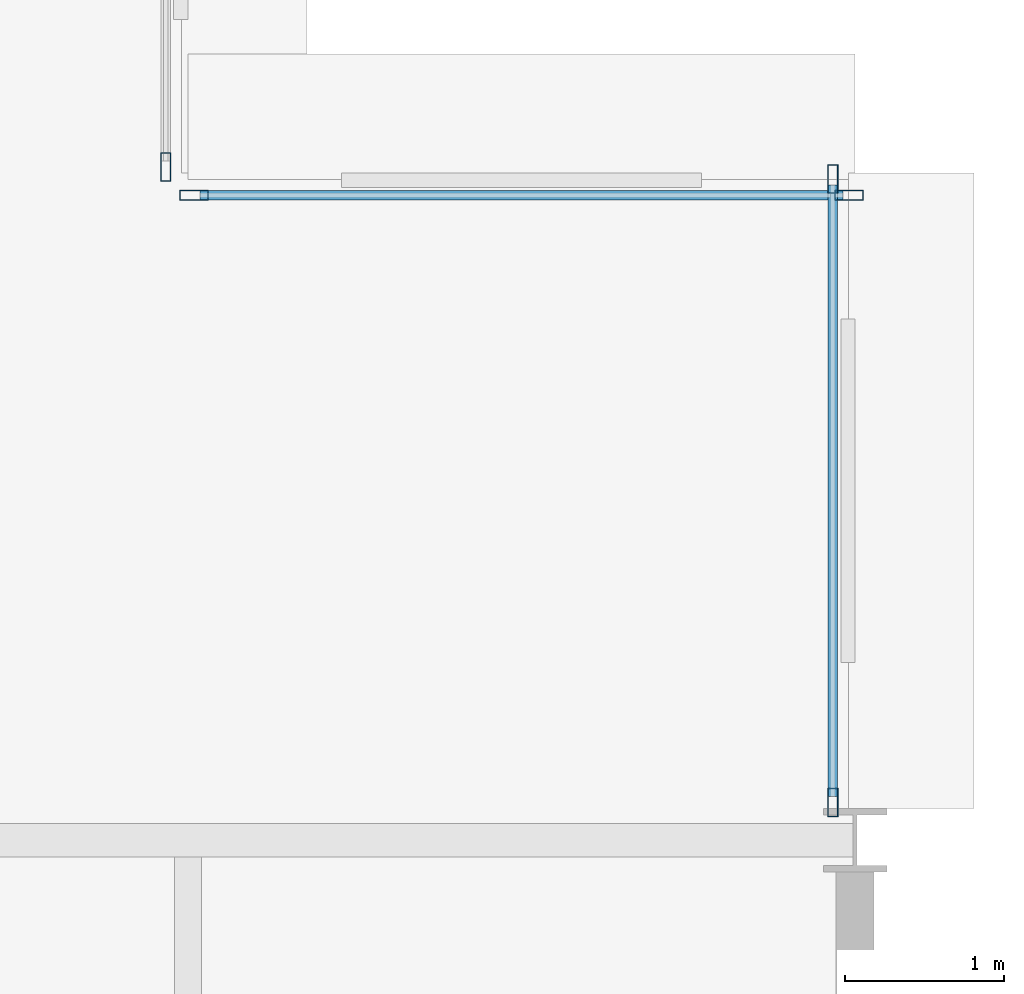
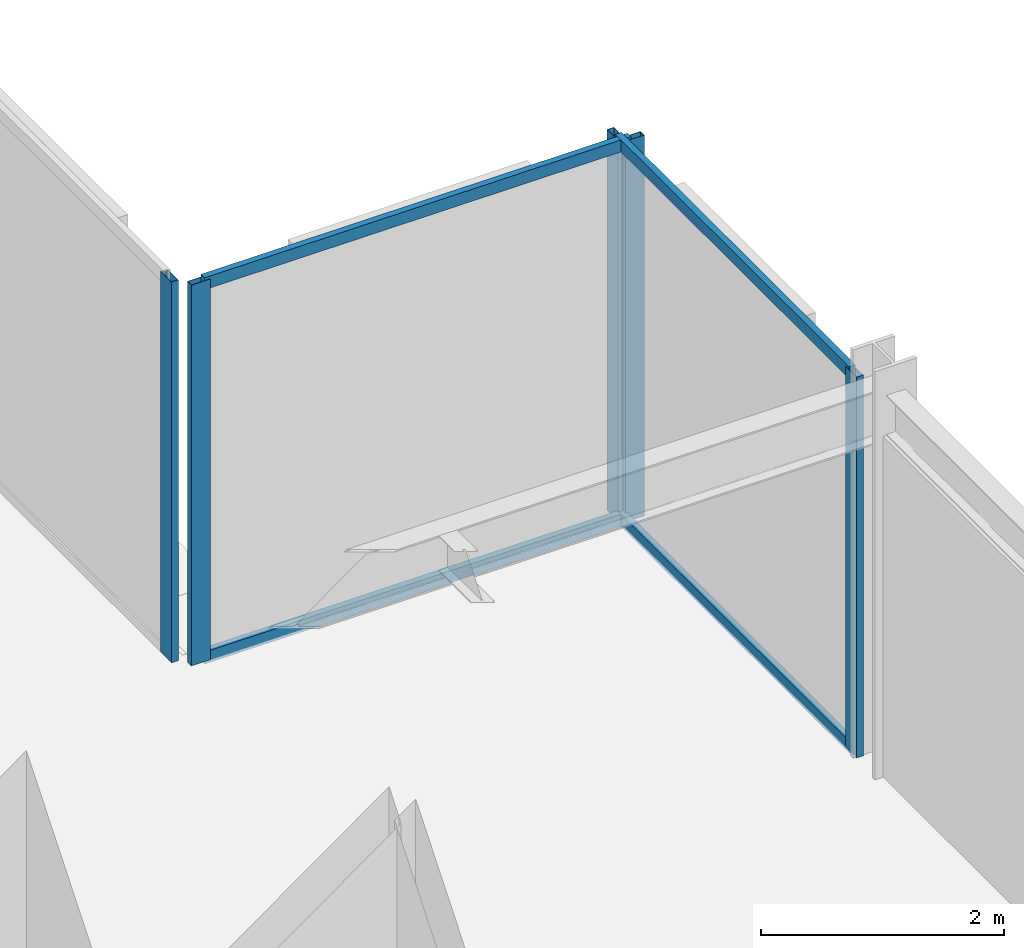
# One storey, part 20 of 30: 9 members, 3 elements without a shape of their own.
"""IFC4 building model written with IfcOpenShell, lengths in metres."""

from ifc_helpers import new_model, si_unit, direction, frame, origin, origin_2d, place, context, subcontext, project, spatial, hollow_rectangle, extrude, material, layer, layer_set, material_profile, profile_set, type_object, element, aggregate, save


model = new_model("IFC4")

# Units and contexts
model_context = context("Model", 3, precision=1e-05, world=origin(), true_north=direction((0.0, 1.0)))
body_context = subcontext(model_context, "Body", "Model", "MODEL_VIEW")
ifc_project = project(units=[si_unit("LENGTHUNIT", "METRE"), si_unit("AREAUNIT", "SQUARE_METRE"), si_unit("VOLUMEUNIT", "CUBIC_METRE"), si_unit("PLANEANGLEUNIT", "RADIAN"), si_unit("MASSUNIT", "GRAM", prefix="KILO")], contexts=[model_context])

# Site, building, storey
site_placement = place(None, origin())
site = spatial("IfcSite", under=ifc_project, at=site_placement, CompositionType="ELEMENT")
building_placement = place(site_placement, origin())
building = spatial("IfcBuilding", under=site, at=building_placement, Name="Nerrivon Quay Data Exchange", CompositionType="ELEMENT")
storey_placement = place(building_placement, frame((0.0, 0.0, 141.800048828125)))
storey = spatial("IfcBuildingStorey", under=building, at=storey_placement, Name="L33", CompositionType="ELEMENT", Elevation=141.800048828125)

# Curtain wall, member
ifc_material = material(Name="Anodised aluminium 6063-T6", Category="aluminium")
ifc_layer = layer(ifc_material, 0.2099609375)
ifc_layer_set = layer_set([ifc_layer], Name="Anodised aluminium 6063-T6")
curtain_wall_type = type_object("IfcCurtainWallType", Name="CW-SYS-02", PredefinedType="NOTDEFINED", material=ifc_layer_set)
curtain_wall_1_placement = place(storey_placement, origin())
curtain_wall_1 = element("IfcCurtainWall", 1, at=curtain_wall_1_placement, inside=storey, type_object=curtain_wall_type, Name="L33 Unitised Curtain Wall 21", PredefinedType="NOTDEFINED")
ifc_material_profile_1 = material_profile(ifc_material, hollow_rectangle(XDim=0.06494140625, YDim=0.179931640625, WallThickness=0.00341796875, at=origin_2d()), Name="ALU-MULL-180x65")
ifc_profile_set_1 = profile_set([ifc_material_profile_1], Name="Anodised aluminium 6063-T6")
member_type_1 = type_object("IfcMemberType", Name="CWM-180x65", PredefinedType="MULLION", material=ifc_profile_set_1)
member_1_placement = place(storey_placement, frame((20.860107421875, 46.237548828125, 0.0), z_axis=(0.0, 0.0, 1.0), x_axis=(1.0, 0.0, 0.0)))
member_1 = element("IfcMember", 2, at=member_1_placement, type_object=member_type_1, Name="CW02 mullion 2", PredefinedType="MULLION", context=body_context, shape_type="SweptSolid", body=[
    extrude(hollow_rectangle(XDim=0.06494140625, YDim=0.179931640625, WallThickness=0.00341796875, at=origin_2d()), origin(), (0.0, 0.0, 1.0), 3.824951171875),
])
aggregate(curtain_wall_1, [member_1])

# Curtain wall, members
curtain_wall_2_placement = place(storey_placement, origin())
curtain_wall_2 = element("IfcCurtainWall", 3, at=curtain_wall_2_placement, inside=storey, type_object=curtain_wall_type, Name="L33 Unitised Curtain Wall 22", PredefinedType="NOTDEFINED")
member_2_placement = place(storey_placement, frame((21.03759765625, 46.06005859375, 0.0), z_axis=(0.0, 0.0, 1.0), x_axis=(0.0, 1.0, 0.0)))
member_2 = element("IfcMember", 4, at=member_2_placement, type_object=member_type_1, Name="CW02 mullion 1", PredefinedType="MULLION", context=body_context, shape_type="SweptSolid", body=[
    extrude(hollow_rectangle(XDim=0.06494140625, YDim=0.179931640625, WallThickness=0.00341796875, at=origin_2d()), origin(), (0.0, 0.0, 1.0), 3.824951171875),
])
member_3_placement = place(storey_placement, frame((25.16259765625, 46.06005859375, 0.0), z_axis=(0.0, 0.0, 1.0), x_axis=(0.0, 1.0, 0.0)))
member_3 = element("IfcMember", 5, at=member_3_placement, type_object=member_type_1, Name="CW02 mullion 2", PredefinedType="MULLION", context=body_context, shape_type="SweptSolid", body=[
    extrude(hollow_rectangle(XDim=0.06494140625, YDim=0.179931640625, WallThickness=0.00341796875, at=origin_2d()), origin(), (0.0, 0.0, 1.0), 3.824951171875),
])

curtain_wall_3_placement = place(storey_placement, origin())
curtain_wall_3 = element("IfcCurtainWall", 6, at=curtain_wall_3_placement, inside=storey, type_object=curtain_wall_type, Name="L33 Unitised Curtain Wall 23", PredefinedType="NOTDEFINED")
member_4_placement = place(storey_placement, frame((25.06005859375, 46.16259765625, 0.0), z_axis=(0.0, 0.0, 1.0), x_axis=(1.0, 0.0, 0.0)))
member_4 = element("IfcMember", 7, at=member_4_placement, type_object=member_type_1, Name="CW02 mullion 1", PredefinedType="MULLION", context=body_context, shape_type="SweptSolid", body=[
    extrude(hollow_rectangle(XDim=0.06494140625, YDim=0.179931640625, WallThickness=0.00341796875, at=origin_2d()), origin(), (0.0, 0.0, 1.0), 3.824951171875),
])
member_5_placement = place(storey_placement, frame((25.06005859375, 42.237548828125, 0.0), z_axis=(0.0, 0.0, 1.0), x_axis=(1.0, 0.0, 0.0)))
member_5 = element("IfcMember", 8, at=member_5_placement, type_object=member_type_1, Name="CW02 mullion 2", PredefinedType="MULLION", context=body_context, shape_type="SweptSolid", body=[
    extrude(hollow_rectangle(XDim=0.06494140625, YDim=0.179931640625, WallThickness=0.00341796875, at=origin_2d()), origin(), (0.0, 0.0, 1.0), 3.824951171875),
])

# Member
ifc_material_profile_2 = material_profile(ifc_material, hollow_rectangle(XDim=0.06005859375, YDim=0.1201171875, WallThickness=0.003173828125, at=origin_2d()), Name="ALU-TRAN-120x60")
ifc_profile_set_2 = profile_set([ifc_material_profile_2], Name="Anodised aluminium 6063-T6")
member_type_2 = type_object("IfcMemberType", Name="CWT-120x60", PredefinedType="USERDEFINED", material=ifc_profile_set_2)
member_6_placement = place(storey_placement, frame((21.074951171875, 46.06005859375, 0.032470703125), z_axis=(1.0, 0.0, 0.0), x_axis=(0.0, 1.0, 0.0)))
member_6 = element("IfcMember", 9, at=member_6_placement, type_object=member_type_2, Name="CW02 transom 1.1", ObjectType="TRANSOM", PredefinedType="USERDEFINED", context=body_context, shape_type="SweptSolid", body=[
    extrude(hollow_rectangle(XDim=0.06005859375, YDim=0.1201171875, WallThickness=0.003173828125, at=origin_2d()), origin(), (0.0, 0.0, 1.0), 4.050048828125),
])

member_7_placement = place(storey_placement, frame((21.074951171875, 46.06005859375, 3.79248046875), z_axis=(1.0, 0.0, 0.0), x_axis=(0.0, 1.0, 0.0)))
member_7 = element("IfcMember", 10, at=member_7_placement, type_object=member_type_2, Name="CW02 transom 1.2", ObjectType="TRANSOM", PredefinedType="USERDEFINED", context=body_context, shape_type="SweptSolid", body=[
    extrude(hollow_rectangle(XDim=0.06005859375, YDim=0.1201171875, WallThickness=0.003173828125, at=origin_2d()), origin(), (0.0, 0.0, 1.0), 4.050048828125),
])

aggregate(curtain_wall_2, [member_2, member_3, member_6, member_7])

member_8_placement = place(storey_placement, frame((25.06005859375, 46.125, 0.032470703125), z_axis=(0.0, -1.0, 0.0), x_axis=(1.0, 0.0, 0.0)))
member_8 = element("IfcMember", 11, at=member_8_placement, type_object=member_type_2, Name="CW02 transom 1.1", ObjectType="TRANSOM", PredefinedType="USERDEFINED", context=body_context, shape_type="SweptSolid", body=[
    extrude(hollow_rectangle(XDim=0.06005859375, YDim=0.1201171875, WallThickness=0.003173828125, at=origin_2d()), origin(), (0.0, 0.0, 1.0), 3.85009765625),
])

member_9_placement = place(storey_placement, frame((25.06005859375, 46.125, 3.79248046875), z_axis=(0.0, -1.0, 0.0), x_axis=(1.0, 0.0, 0.0)))
member_9 = element("IfcMember", 12, at=member_9_placement, type_object=member_type_2, Name="CW02 transom 1.2", ObjectType="TRANSOM", PredefinedType="USERDEFINED", context=body_context, shape_type="SweptSolid", body=[
    extrude(hollow_rectangle(XDim=0.06005859375, YDim=0.1201171875, WallThickness=0.003173828125, at=origin_2d()), origin(), (0.0, 0.0, 1.0), 3.85009765625),
])

aggregate(curtain_wall_3, [member_4, member_5, member_8, member_9])

save(model, "model.ifc")
